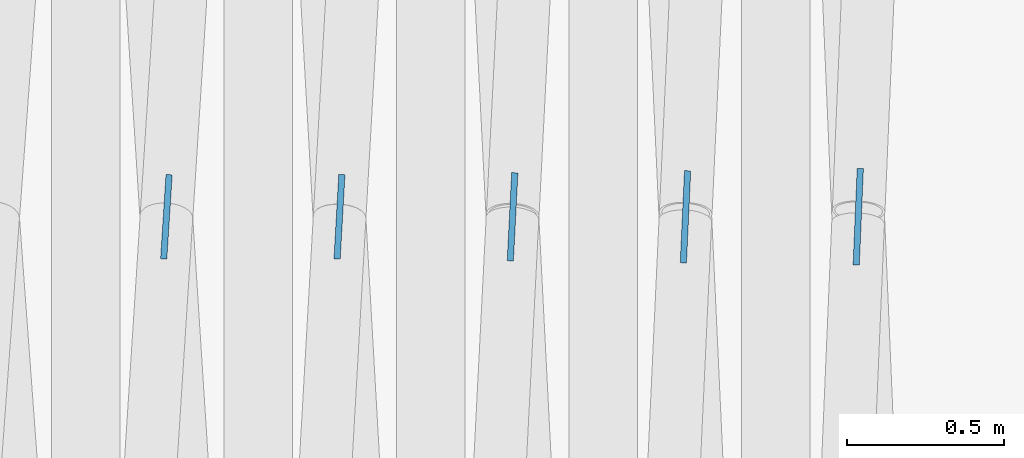
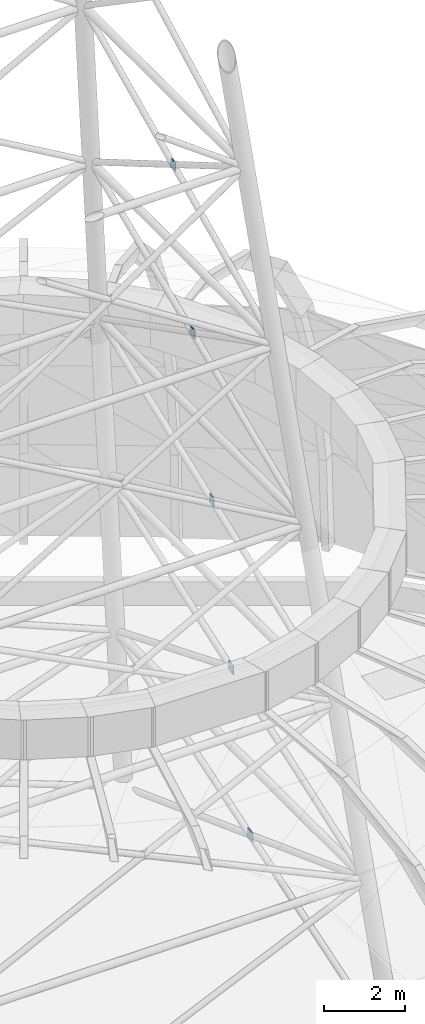
# One storey, part 12 of 27: 5 discrete accessories.
"""IFC4 building model written with IfcOpenShell, lengths in metres."""

from ifc_helpers import new_model, si_unit, direction, frame, origin, origin_2d, place, context, subcontext, project, spatial, rectangle, extrude, material, layer, layer_set, type_object, element, save


model = new_model("IFC4")

# Units and contexts
model_context = context("Model", 3, precision=1e-05, world=origin(), true_north=direction((0.0, 1.0)))
body_context = subcontext(model_context, "Body", "Model", "MODEL_VIEW")
ifc_project = project(units=[si_unit("LENGTHUNIT", "METRE"), si_unit("AREAUNIT", "SQUARE_METRE"), si_unit("VOLUMEUNIT", "CUBIC_METRE"), si_unit("PLANEANGLEUNIT", "RADIAN"), si_unit("MASSUNIT", "GRAM", prefix="KILO")], contexts=[model_context])

# Site, building, storey
site_placement = place(None, origin())
site = spatial("IfcSite", under=ifc_project, at=site_placement, CompositionType="ELEMENT")
building_placement = place(site_placement, origin())
building = spatial("IfcBuilding", under=site, at=building_placement, Name="Ayvan Gate Tower", CompositionType="ELEMENT")
storey_placement = place(building_placement, frame((0.0, 0.0, 267.699951171875)))
storey = spatial("IfcBuildingStorey", under=building, at=storey_placement, Name="Roof", CompositionType="ELEMENT", Elevation=267.699951171875)

# Discrete accessories
ifc_material = material(Name="Steel S460ML", Category="steel")
ifc_layer = layer(ifc_material, 0.02001953125)
ifc_layer_set = layer_set([ifc_layer], Name="Steel S460ML")
discrete_accessory_type = type_object("IfcDiscreteAccessoryType", Name="Gusset plate 20 mm", PredefinedType="BRACKET", material=ifc_layer_set)
discrete_accessory_1_placement = place(storey_placement, frame((6.484619140625, 0.0, 2.593994140625), z_axis=(0.0, 0.0, 1.0), x_axis=(0.042308111772, 0.999104610978, 0.0)))
element("IfcDiscreteAccessory", 1, at=discrete_accessory_1_placement, inside=storey, type_object=discrete_accessory_type, Name="Gusset plate MAST BRACE 1-4B", PredefinedType="BRACKET", context=body_context, shape_type="SweptSolid", body=[
    extrude(rectangle(XDim=0.3076171875, YDim=0.02001953125, at=origin_2d()), origin(), (0.0, 0.0, 1.0), 0.28466796875),
])
discrete_accessory_2_placement = place(storey_placement, frame((5.93359375, 0.0, 7.8564453125), z_axis=(0.0, 0.0, 1.0), x_axis=(0.046213815461, 0.99893157086, 0.0)))
element("IfcDiscreteAccessory", 2, at=discrete_accessory_2_placement, inside=storey, type_object=discrete_accessory_type, Name="Gusset plate MAST BRACE 2-4B", PredefinedType="BRACKET", context=body_context, shape_type="SweptSolid", body=[
    extrude(rectangle(XDim=0.2939453125, YDim=0.02001953125, at=origin_2d()), origin(), (0.0, 0.0, 1.0), 0.280029296875),
])
discrete_accessory_3_placement = place(storey_placement, frame((5.382080078125, 0.0, 13.121337890625), z_axis=(0.0, 0.0, 1.0), x_axis=(0.050913666778, 0.998703058239, 0.0)))
element("IfcDiscreteAccessory", 3, at=discrete_accessory_3_placement, inside=storey, type_object=discrete_accessory_type, Name="Gusset plate MAST BRACE 3-4B", PredefinedType="BRACKET", context=body_context, shape_type="SweptSolid", body=[
    extrude(rectangle(XDim=0.28125, YDim=0.02001953125, at=origin_2d()), origin(), (0.0, 0.0, 1.0), 0.27490234375),
])
discrete_accessory_4_placement = place(storey_placement, frame((4.830078125, 0.0, 18.3896484375), z_axis=(0.0, 0.0, 1.0), x_axis=(0.056677104857, 0.998392560962, 0.0)))
element("IfcDiscreteAccessory", 4, at=discrete_accessory_4_placement, inside=storey, type_object=discrete_accessory_type, Name="Gusset plate MAST BRACE 4-4B", PredefinedType="BRACKET", context=body_context, shape_type="SweptSolid", body=[
    extrude(rectangle(XDim=0.26953125, YDim=0.02001953125, at=origin_2d()), origin(), (0.0, 0.0, 1.0), 0.269287109375),
])
discrete_accessory_5_placement = place(storey_placement, frame((4.278076171875, 0.0, 23.65869140625), z_axis=(0.0, 0.0, 1.0), x_axis=(0.063908770204, 0.997955745056, 0.0)))
element("IfcDiscreteAccessory", 5, at=discrete_accessory_5_placement, inside=storey, type_object=discrete_accessory_type, Name="Gusset plate MAST BRACE 5-4B", PredefinedType="BRACKET", context=body_context, shape_type="SweptSolid", body=[
    extrude(rectangle(XDim=0.269287109375, YDim=0.02001953125, at=origin_2d()), origin(), (0.0, 0.0, 1.0), 0.269287109375),
])

save(model, "model.ifc")
